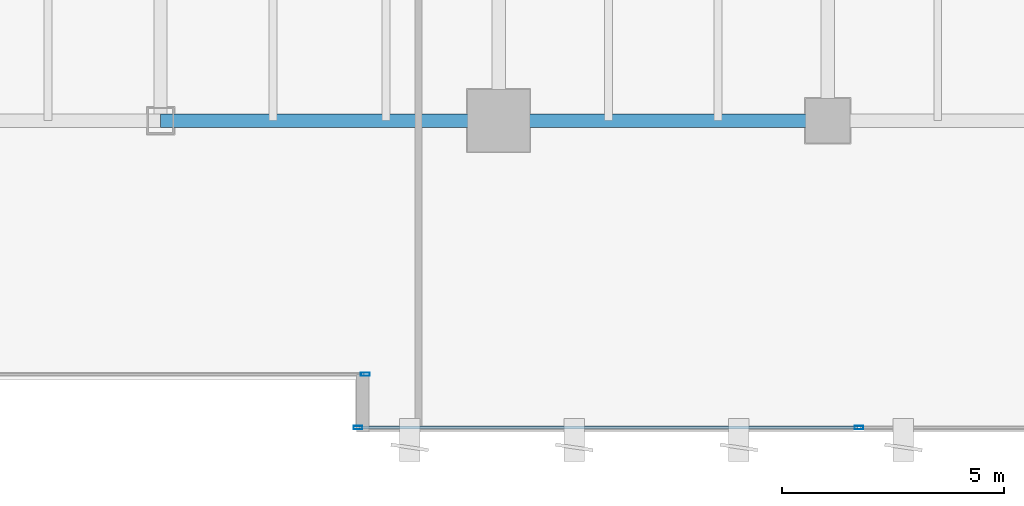
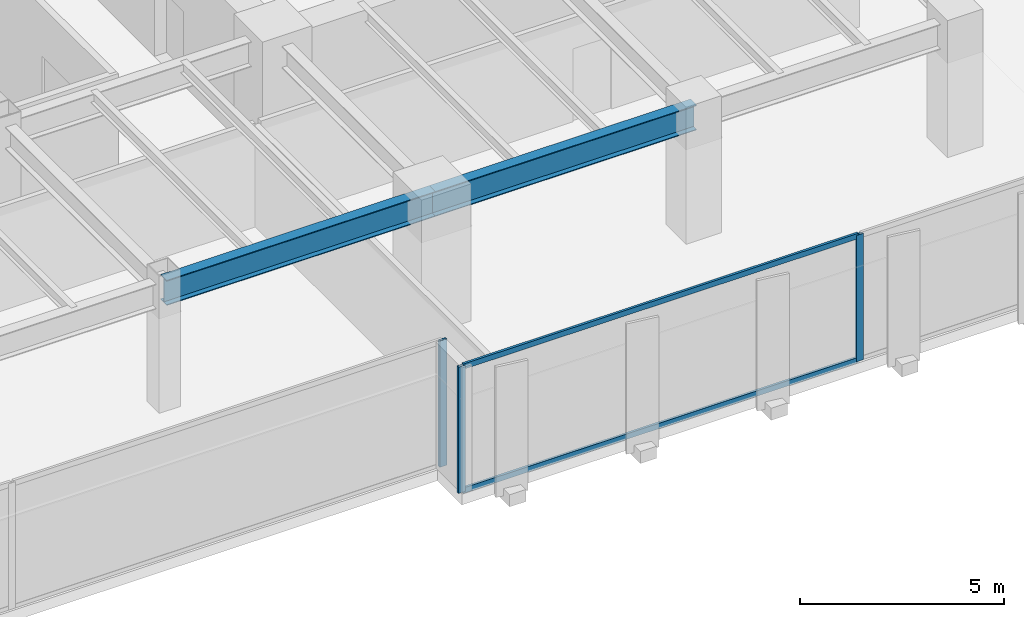
# One storey, part 10 of 37: 5 members, 2 beams, 2 elements without a shape of their own.
"""IFC4 building model written with IfcOpenShell, lengths in metres."""

import ifcopenshell
import ifcopenshell.guid

model = None  # the IFC model being written
_history = None  # IfcOwnerHistory: only IFC2X3 demands one
_inside = {}  # id of a spatial element -> (the spatial element, [elements in it])
_under = {}  # id of a project, library or spatial element -> (it, [spatial elements below it])
_declared = {}  # id of a project -> (the project, [libraries it declares])
_typed = {}  # id of a type object -> (the type object, [elements of that type])
_made_of = {}  # id of a material, layer set ... -> (it, [elements and type objects made of it])


def new_model(schema):
    """Start an empty IFC model of exactly this schema.

    Asked for "IFC4X3", IfcOpenShell would pick the latest addendum, in which some entities
    have other attributes; the version numbers below select the first issue.
    IFC2X3 requires an IfcOwnerHistory on every rooted entity: one is made here for all.
    """
    global model, _history
    if schema == "IFC4X3":
        model = ifcopenshell.file(schema_version=(4, 3, 0, 0))
    else:
        model = ifcopenshell.file(schema=schema)
    _inside.clear()
    _under.clear()
    _declared.clear()
    _typed.clear()
    _made_of.clear()
    _history = None
    if model.schema == "IFC2X3":
        org = make("IfcOrganization", Name="unknown")
        user = make(
            "IfcPersonAndOrganization",
            ThePerson=make("IfcPerson", FamilyName="unknown"),
            TheOrganization=org,
        )
        app = make(
            "IfcApplication",
            ApplicationDeveloper=org,
            Version="unknown",
            ApplicationFullName="unknown",
            ApplicationIdentifier="unknown",
        )
        _history = make(
            "IfcOwnerHistory",
            OwningUser=user,
            OwningApplication=app,
            ChangeAction="ADDED",
            CreationDate=0,
        )
    return model


def make(cls, **values):
    """One entity of the class cls with the attributes given. An attribute that is None is left unset."""
    return model.create_entity(
        cls, **{name: value for name, value in values.items() if value is not None}
    )


def rooted(cls, **values):
    """An entity with a GlobalId (a new one), such as an element, a storey or a relation."""
    return make(cls, GlobalId=ifcopenshell.guid.new(), OwnerHistory=_history, **values)


def si_unit(unit_type, name, prefix=None):
    """IfcSIUnit, for example si_unit("LENGTHUNIT", "METRE", prefix="MILLI")."""
    return make("IfcSIUnit", UnitType=unit_type, Prefix=prefix, Name=name)


def assignment(units):
    """IfcUnitAssignment: the units of a project."""
    return None if units is None else make("IfcUnitAssignment", Units=units)


def point(xyz):
    """IfcCartesianPoint."""
    return None if xyz is None else make("IfcCartesianPoint", Coordinates=xyz)


def direction(xyz):
    """IfcDirection."""
    return None if xyz is None else make("IfcDirection", DirectionRatios=xyz)


def frame(location, z_axis=None, x_axis=None):
    """IfcAxis2Placement3D, a coordinate frame: its origin and axes. An axis left out is left unset."""
    return make(
        "IfcAxis2Placement3D",
        Location=point(location),
        Axis=direction(z_axis),
        RefDirection=direction(x_axis),
    )


def frame_2d(location, x_axis=None):
    """IfcAxis2Placement2D, a coordinate frame in the plane: its origin and x axis."""
    return make(
        "IfcAxis2Placement2D", Location=point(location), RefDirection=direction(x_axis)
    )


def origin():
    """The frame at (0, 0, 0) with its axes left unset."""
    return frame((0.0, 0.0, 0.0))


def origin_2d():
    """The frame at (0, 0) in the plane with its x axis left unset."""
    return frame_2d((0.0, 0.0))


def place(relative_to, where):
    """IfcLocalPlacement: puts the frame where relative to a parent placement (None: the world)."""
    return make(
        "IfcLocalPlacement", PlacementRelTo=relative_to, RelativePlacement=where
    )


def context(
    kind, dimensions, precision=None, world=None, true_north=None, identifier=None
):
    """IfcGeometricRepresentationContext, for example the 3D "Model" context."""
    return make(
        "IfcGeometricRepresentationContext",
        ContextIdentifier=identifier,
        ContextType=kind,
        CoordinateSpaceDimension=dimensions,
        Precision=precision,
        WorldCoordinateSystem=world,
        TrueNorth=true_north,
    )


def subcontext(parent, identifier, kind, view, scale=None):
    """IfcGeometricRepresentationSubContext, for example "Body" below "Model"."""
    return make(
        "IfcGeometricRepresentationSubContext",
        ContextIdentifier=identifier,
        ContextType=kind,
        ParentContext=parent,
        TargetScale=scale,
        TargetView=view,
    )


def project(units=None, contexts=None):
    """IfcProject with its units and contexts."""
    return rooted(
        "IfcProject",
        Name="project",
        RepresentationContexts=contexts,
        UnitsInContext=assignment(units),
    )


def spatial(cls, under=None, at=None, **own):
    """A site, building, storey or space (cls), placed at a placement, below another one or the project."""
    s = rooted(cls, ObjectPlacement=at, **own)
    if under is not None:
        _under.setdefault(under.id(), (under, []))[1].append(s)
    return s


def profile(cls, at=None, kind="AREA", **sizes):
    """A parametric profile (cls). Its sizes go by their IFC names, for example OverallWidth=200.0."""
    return make(cls, ProfileType=kind, Position=at, **sizes)


def hollow_rectangle(**sizes):
    """IfcRectangleHollowProfileDef."""
    return profile("IfcRectangleHollowProfileDef", **sizes)


def i_section(**sizes):
    """IfcIShapeProfileDef."""
    return profile("IfcIShapeProfileDef", **sizes)


def extrude(swept, where, along, depth):
    """IfcExtrudedAreaSolid: the profile swept, set in the frame where, extruded along a direction by depth."""
    return make(
        "IfcExtrudedAreaSolid",
        SweptArea=swept,
        Position=where,
        ExtrudedDirection=direction(along),
        Depth=depth,
    )


def shape(context_of_items, identifier, shape_type, items):
    """IfcShapeRepresentation: the items that make up one representation, for example the "Body"."""
    return make(
        "IfcShapeRepresentation",
        ContextOfItems=context_of_items,
        RepresentationIdentifier=identifier,
        RepresentationType=shape_type,
        Items=items,
    )


def source(mapping_origin, context_of_items, identifier, shape_type, items):
    """IfcRepresentationMap: a shape defined once, which mapped items show again and again."""
    return make(
        "IfcRepresentationMap",
        MappingOrigin=mapping_origin,
        MappedRepresentation=shape(context_of_items, identifier, shape_type, items),
    )


def transform(
    local_origin,
    x_axis=None,
    y_axis=None,
    z_axis=None,
    scale=None,
    scale2=None,
    scale3=None,
    uniform=True,
):
    """IfcCartesianTransformationOperator3D, or its non-uniform kind. x_axis, y_axis, z_axis: its Axis1, 2, 3."""
    if uniform:
        return make(
            "IfcCartesianTransformationOperator3D",
            Axis1=direction(x_axis),
            Axis2=direction(y_axis),
            LocalOrigin=point(local_origin),
            Scale=scale,
            Axis3=direction(z_axis),
        )
    return make(
        "IfcCartesianTransformationOperator3DnonUniform",
        Axis1=direction(x_axis),
        Axis2=direction(y_axis),
        LocalOrigin=point(local_origin),
        Scale=scale,
        Axis3=direction(z_axis),
        Scale2=scale2,
        Scale3=scale3,
    )


def mapped(mapping_source, mapping_target):
    """IfcMappedItem: shows the shape of a source again, moved by a transform."""
    return make(
        "IfcMappedItem", MappingSource=mapping_source, MappingTarget=mapping_target
    )


def material(Name=None, Category=None):
    """IfcMaterial."""
    return make("IfcMaterial", Name=Name, Category=Category)


def layer(
    of_material, thickness, ventilated=None, Name=None, Category=None, Priority=None
):
    """IfcMaterialLayer: one layer of a wall or slab, of a material (None: an air gap)."""
    return make(
        "IfcMaterialLayer",
        Material=of_material,
        LayerThickness=thickness,
        IsVentilated=ventilated,
        Name=Name,
        Category=Category,
        Priority=Priority,
    )


def layer_set(layers, Name=None):
    """IfcMaterialLayerSet."""
    return make("IfcMaterialLayerSet", MaterialLayers=layers, LayerSetName=Name)


def material_profile(
    of_material, cross_section, Name=None, Category=None, Priority=None
):
    """IfcMaterialProfile: a cross section and its material."""
    return make(
        "IfcMaterialProfile",
        Name=Name,
        Material=of_material,
        Profile=cross_section,
        Priority=Priority,
        Category=Category,
    )


def profile_set(profiles, Name=None, composite=None):
    """IfcMaterialProfileSet."""
    return make(
        "IfcMaterialProfileSet",
        Name=Name,
        MaterialProfiles=profiles,
        CompositeProfile=composite,
    )


def made_of(thing, what):
    """Note that an element or type object is made of a material, layer set ...; save() writes the relation."""
    if what is not None:
        _made_of.setdefault(what.id(), (what, []))[1].append(thing)
    return thing


def type_object(cls, material=None, **own):
    """A type object (cls), such as IfcWallType, which elements share."""
    return made_of(rooted(cls, **own), material)


def type_shapes(of_type, sources):
    """Give a type object the sources (RepresentationMaps) that its elements show as mapped items."""
    of_type.RepresentationMaps = sources


def element(
    cls,
    number,
    at=None,
    inside=None,
    cuts=None,
    type_object=None,
    material=None,
    context=None,
    identifier="Body",
    shape_type=None,
    held_by="IfcProductDefinitionShape",
    body=None,
    shapes=None,
    **own,
):
    """One element of the class cls, such as IfcWall. Its Tag is "e" and its number.

    at: its placement. inside: the storey or other place that contains it. cuts: it is an
    opening in that element (IfcRelVoidsElement). A single representation is given by context,
    identifier, shape_type and body (its items); several are given by shapes. held_by: the class
    of the entity that holds the representations. save() writes the other relations.
    """
    e = rooted(cls, Tag="e%d" % number, ObjectPlacement=at, **own)
    if body is not None:
        shapes = [shape(context, identifier, shape_type, body)]
    if shapes is not None:
        e.Representation = make(held_by, Representations=shapes)
    if inside is not None:
        _inside.setdefault(inside.id(), (inside, []))[1].append(e)
    if cuts is not None:
        rooted(
            "IfcRelVoidsElement", RelatingBuildingElement=cuts, RelatedOpeningElement=e
        )
    if type_object is not None:
        _typed.setdefault(type_object.id(), (type_object, []))[1].append(e)
    return made_of(e, material)


def aggregate(whole, parts):
    """IfcRelAggregates: a whole, such as a stair, and the parts it consists of."""
    return rooted("IfcRelAggregates", RelatingObject=whole, RelatedObjects=parts)


def save(model, path):
    """Write the relations noted so far, then the file.

    IfcRelAggregates (storeys below a building ...), IfcRelContainedInSpatialStructure (elements
    in a storey), IfcRelDefinesByType, IfcRelAssociatesMaterial and IfcRelDeclares: one each for
    every whole, place, type object, material and project.
    """
    for whole, parts in _under.values():
        aggregate(whole, parts)
    for where, things in _inside.values():
        rooted(
            "IfcRelContainedInSpatialStructure",
            RelatedElements=things,
            RelatingStructure=where,
        )
    for kind, things in _typed.values():
        rooted("IfcRelDefinesByType", RelatedObjects=things, RelatingType=kind)
    for what, things in _made_of.values():
        rooted("IfcRelAssociatesMaterial", RelatedObjects=things, RelatingMaterial=what)
    for by, libraries in _declared.values():
        rooted("IfcRelDeclares", RelatingContext=by, RelatedDefinitions=libraries)
    model.write(path)


model = new_model("IFC4")

# Units and contexts
model_context = context("Model", 3, precision=1e-05, world=origin(), true_north=direction((0.0, 1.0)))
body_context = subcontext(model_context, "Body", "Model", "MODEL_VIEW")
ifc_project = project(units=[si_unit("LENGTHUNIT", "METRE"), si_unit("AREAUNIT", "SQUARE_METRE"), si_unit("VOLUMEUNIT", "CUBIC_METRE"), si_unit("PLANEANGLEUNIT", "RADIAN"), si_unit("MASSUNIT", "GRAM", prefix="KILO")], contexts=[model_context])

# Site, building, storey
site_placement = place(None, origin())
site = spatial("IfcSite", under=ifc_project, at=site_placement, CompositionType="ELEMENT")
building_placement = place(site_placement, origin())
building = spatial("IfcBuilding", under=site, at=building_placement, Name="Haelvirn Gate Laboratories", CompositionType="ELEMENT")
storey_placement = place(building_placement, frame((0.0, 0.0, 74.39990234375)))
storey = spatial("IfcBuildingStorey", under=building, at=storey_placement, Name="L18", CompositionType="ELEMENT", Elevation=74.39990234375)

# Beams
ifc_material_1 = material(Name="Steel SM355", Category="steel")
ifc_material_profile_1 = material_profile(ifc_material_1, i_section(OverallWidth=0.300048828125, OverallDepth=0.75, WebThickness=0.013916015625, FlangeThickness=0.02392578125, at=origin_2d()), Name="H-750x300x14x24")
ifc_profile_set_1 = profile_set([ifc_material_profile_1], Name="Steel SM355")
beam_type = type_object("IfcBeamType", Name="BM-G-750", PredefinedType="BEAM", material=ifc_profile_set_1)
shared_shape_1 = source(origin(), body_context, "Body", "SweptSolid", [
    extrude(i_section(OverallWidth=0.300048828125, OverallDepth=0.75, WebThickness=0.013916015625, FlangeThickness=0.02392578125, at=origin_2d()), origin(), (0.0, 0.0, 1.0), 7.39990234375),
])
beam_1_placement = place(storey_placement, frame((52.60009765625, 7.0, 3.405029296875), z_axis=(1.0, 0.0, 0.0), x_axis=(0.0, 1.0, 0.0)))
element("IfcBeam", 1, at=beam_1_placement, inside=storey, type_object=beam_type, Name="L18 Primary Girder Y7.0 (52.6-60.0)", PredefinedType="BEAM", context=body_context, shape_type="MappedRepresentation", body=[
    mapped(shared_shape_1, transform((0.0, 0.0, 0.0), scale=1.0)),
])
shared_shape_2 = source(origin(), body_context, "Body", "SweptSolid", [
    extrude(i_section(OverallWidth=0.300048828125, OverallDepth=0.75, WebThickness=0.013916015625, FlangeThickness=0.02392578125, at=origin_2d()), origin(), (0.0, 0.0, 1.0), 7.60009765625),
])
type_shapes(beam_type, [shared_shape_1, shared_shape_2])
beam_2_placement = place(storey_placement, frame((45.0, 7.0, 3.405029296875), z_axis=(1.0, 0.0, 0.0), x_axis=(0.0, 1.0, 0.0)))
element("IfcBeam", 2, at=beam_2_placement, inside=storey, type_object=beam_type, Name="L18 Primary Girder Y7.0 (45.0-52.6)", PredefinedType="BEAM", context=body_context, shape_type="MappedRepresentation", body=[
    mapped(shared_shape_2, transform((0.0, 0.0, 0.0), scale=1.0)),
])

# Curtain wall, member
ifc_material_2 = material(Name="Anodised bronze unitised aluminium & triple low-E glass", Category="aluminium")
ifc_layer = layer(ifc_material_2, 0.18408203125, Name="CW-SYS-2")
ifc_layer_set = layer_set([ifc_layer], Name="Anodised bronze unitised aluminium & triple low-E glass")
curtain_wall_type = type_object("IfcCurtainWallType", Name="CW-SYS-2", PredefinedType="NOTDEFINED", material=ifc_layer_set)
curtain_wall_1_placement = place(storey_placement, origin())
curtain_wall_1 = element("IfcCurtainWall", 3, at=curtain_wall_1_placement, inside=storey, type_object=curtain_wall_type, Name="L18 Unitised Curtain Wall CW-L18-P0-E02-1", PredefinedType="NOTDEFINED")
ifc_material_3 = material(Name="Extruded aluminium 6063-T6 (anodised bronze)", Category="aluminium")
ifc_material_profile_2 = material_profile(ifc_material_3, hollow_rectangle(XDim=0.074951171875, YDim=0.199951171875, WallThickness=0.0048828125, at=origin_2d()), Name="CWM-200x75x5")
ifc_profile_set_2 = profile_set([ifc_material_profile_2], Name="Extruded aluminium 6063-T6 (anodised bronze)")
member_type_1 = type_object("IfcMemberType", Name="CWM-T200", PredefinedType="MULLION", material=ifc_profile_set_2)
shared_shape_3 = source(origin(), body_context, "Body", "SweptSolid", [
    extrude(hollow_rectangle(XDim=0.074951171875, YDim=0.199951171875, WallThickness=0.0048828125, at=origin_2d()), origin(), (0.0, 0.0, 1.0), 3.780029296875),
])
type_shapes(member_type_1, [shared_shape_3])
member_1_placement = place(storey_placement, frame((49.6025390625, 1.300048828125, 0.0), z_axis=(0.0, 0.0, 1.0), x_axis=(0.0, 1.0, 0.0)))
member_1 = element("IfcMember", 4, at=member_1_placement, type_object=member_type_1, Name="CW2 mullion 3", PredefinedType="MULLION", context=body_context, shape_type="MappedRepresentation", body=[
    mapped(shared_shape_3, transform((0.0, 0.0, 0.0), scale=1.0)),
])
aggregate(curtain_wall_1, [member_1])

# Curtain wall, members
curtain_wall_2_placement = place(storey_placement, origin())
curtain_wall_2 = element("IfcCurtainWall", 5, at=curtain_wall_2_placement, inside=storey, type_object=curtain_wall_type, Name="L18 Unitised Curtain Wall CW-L18-P0-E04-1", PredefinedType="NOTDEFINED")
member_2_placement = place(storey_placement, frame((49.4375, 0.10009765625, 0.0), z_axis=(0.0, 0.0, 1.0), x_axis=(0.0, 1.0, 0.0)))
member_2 = element("IfcMember", 6, at=member_2_placement, type_object=member_type_1, Name="CW2 mullion 1", PredefinedType="MULLION", context=body_context, shape_type="MappedRepresentation", body=[
    mapped(shared_shape_3, transform((0.0, 0.0, 0.0), scale=1.0)),
])
member_3_placement = place(storey_placement, frame((60.699951171875, 0.10009765625, 0.0), z_axis=(0.0, 0.0, 1.0), x_axis=(0.0, 1.0, 0.0)))
member_3 = element("IfcMember", 7, at=member_3_placement, type_object=member_type_1, Name="CW2 mullion 2", PredefinedType="MULLION", context=body_context, shape_type="MappedRepresentation", body=[
    mapped(shared_shape_3, transform((0.0, 0.0, 0.0), scale=1.0)),
])
ifc_material_profile_3 = material_profile(ifc_material_3, hollow_rectangle(XDim=0.070068359375, YDim=0.159912109375, WallThickness=0.0048828125, at=origin_2d()), Name="CWT-160x70x5")
ifc_profile_set_3 = profile_set([ifc_material_profile_3], Name="Extruded aluminium 6063-T6 (anodised bronze)")
member_type_2 = type_object("IfcMemberType", Name="CWT-T160", PredefinedType="USERDEFINED", material=ifc_profile_set_3)
shared_shape_4 = source(origin(), body_context, "Body", "SweptSolid", [
    extrude(hollow_rectangle(XDim=0.070068359375, YDim=0.159912109375, WallThickness=0.0048828125, at=origin_2d()), origin(), (0.0, 0.0, 1.0), 11.1875),
])
type_shapes(member_type_2, [shared_shape_4])
member_4_placement = place(storey_placement, frame((49.47509765625, 0.10009765625, 0.03515625), z_axis=(1.0, 0.0, 0.0), x_axis=(0.0, 1.0, 0.0)))
member_4 = element("IfcMember", 8, at=member_4_placement, type_object=member_type_2, Name="CW2 transom 1.1", ObjectType="TRANSOM", PredefinedType="USERDEFINED", context=body_context, shape_type="MappedRepresentation", body=[
    mapped(shared_shape_4, transform((0.0, 0.0, 0.0), scale=1.0)),
])
member_5_placement = place(storey_placement, frame((49.47509765625, 0.10009765625, 3.7451171875), z_axis=(1.0, 0.0, 0.0), x_axis=(0.0, 1.0, 0.0)))
member_5 = element("IfcMember", 9, at=member_5_placement, type_object=member_type_2, Name="CW2 transom 1.2", ObjectType="TRANSOM", PredefinedType="USERDEFINED", context=body_context, shape_type="MappedRepresentation", body=[
    mapped(shared_shape_4, transform((0.0, 0.0, 0.0), scale=1.0)),
])
aggregate(curtain_wall_2, [member_2, member_3, member_4, member_5])

save(model, "model.ifc")
